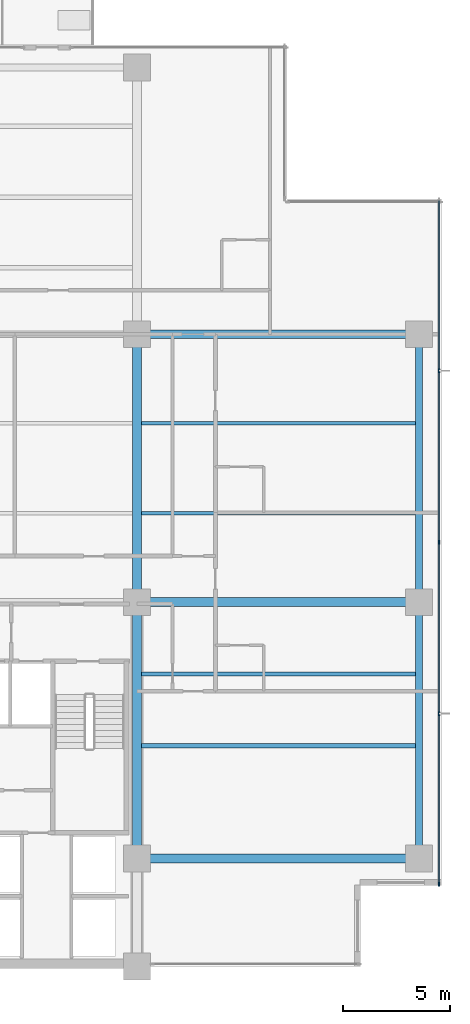
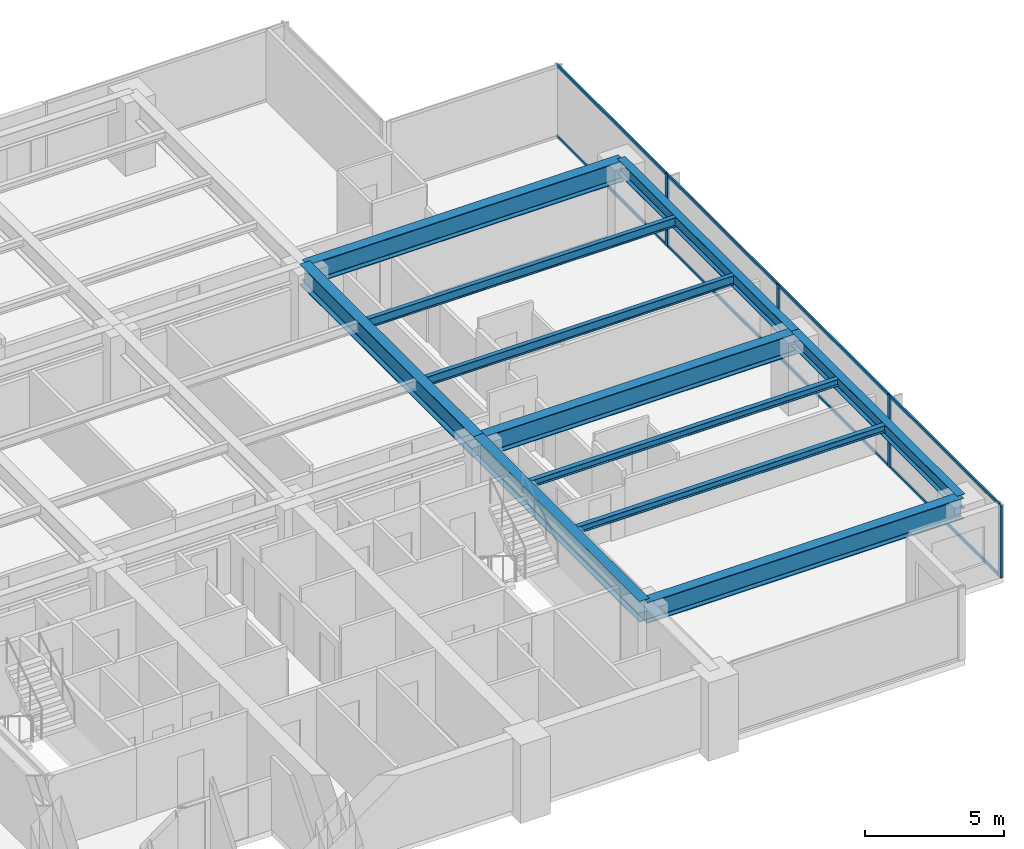
# One storey, part 4 of 16: 12 members, 11 beams, 1 element without a shape of its own.
"""IFC4 building model written with IfcOpenShell, lengths in metres."""

from ifc_helpers import new_model, si_unit, direction, frame, origin, origin_2d, place, context, subcontext, project, spatial, rectangle, i_section, extrude, material, layer, layer_set, material_profile, profile_set, type_object, element, aggregate, save


model = new_model("IFC4")

# Units and contexts
model_context = context("Model", 3, precision=1e-05, world=origin(), true_north=direction((0.0, 1.0)))
body_context = subcontext(model_context, "Body", "Model", "MODEL_VIEW")
ifc_project = project(units=[si_unit("LENGTHUNIT", "METRE"), si_unit("AREAUNIT", "SQUARE_METRE"), si_unit("VOLUMEUNIT", "CUBIC_METRE"), si_unit("PLANEANGLEUNIT", "RADIAN"), si_unit("MASSUNIT", "GRAM", prefix="KILO")], contexts=[model_context])

# Site, building, storey
site_placement = place(None, origin())
site = spatial("IfcSite", under=ifc_project, at=site_placement, CompositionType="ELEMENT")
building_placement = place(site_placement, origin())
building = spatial("IfcBuilding", under=site, at=building_placement, Name="Qalmaran Belvedere Hotel", CompositionType="ELEMENT")
storey_placement = place(building_placement, frame((0.0, 0.0, 126.699951171875)))
storey = spatial("IfcBuildingStorey", under=building, at=storey_placement, Name="L32", CompositionType="ELEMENT", Elevation=126.699951171875)

# Beams
ifc_material_1 = material(Name="Steel S355JR", Category="steel")
ifc_material_profile_1 = material_profile(ifc_material_1, i_section(OverallWidth=0.202880859375, OverallDepth=0.302978515625, WebThickness=0.007568359375, FlangeThickness=0.01318359375, FilletRadius=0.012939453125, at=origin_2d()), Name="W310X60")
ifc_profile_set_1 = profile_set([ifc_material_profile_1], Name="Steel S355JR")
beam_type_1 = type_object("IfcBeamType", Name="BM-JST-W310X60", PredefinedType="JOIST", material=ifc_profile_set_1)
for number, where, z_axis, x_axis, name in (
    (1, (45.007080078125, 13.800048828125, 3.028564453125), (1.0, 0.0, 0.0), (0.0, 1.0, 0.0), "L32 East Wing Joist 039"),
    (2, (45.007080078125, 17.14990234375, 3.028564453125), (1.0, 0.0, 0.0), (0.0, 1.0, 0.0), "L32 East Wing Joist 041"),
):
    element("IfcBeam", number, at=place(storey_placement, frame(where, z_axis=z_axis, x_axis=x_axis)), inside=storey, type_object=beam_type_1, Name=name, PredefinedType="JOIST", context=body_context, shape_type="SweptSolid", body=[
        extrude(i_section(OverallWidth=0.202880859375, OverallDepth=0.302978515625, WebThickness=0.007568359375, FlangeThickness=0.01318359375, FilletRadius=0.012939453125, at=origin_2d()), origin(), (0.0, 0.0, 1.0), 12.781494140625),
    ])
ifc_material_profile_2 = material_profile(ifc_material_1, i_section(OverallWidth=0.41796875, OverallDepth=0.912109375, WebThickness=0.019287109375, FlangeThickness=0.031982421875, FilletRadius=0.02392578125, at=origin_2d()), Name="W920X342")
ifc_profile_set_2 = profile_set([ifc_material_profile_2], Name="Steel S355JR")
beam_type_2 = type_object("IfcBeamType", Name="BM-PG2-W920X342", PredefinedType="USERDEFINED", material=ifc_profile_set_2)
beam_1_placement = place(storey_placement, frame((44.800048828125, 20.5, 2.72412109375), z_axis=(0.0, 1.0, 0.0), x_axis=(-1.0, 0.0, 0.0)))
element("IfcBeam", 3, at=beam_1_placement, inside=storey, type_object=beam_type_2, Name="L32 Mid-Plate N-S Girder 20", ObjectType="GIRDER", PredefinedType="USERDEFINED", context=body_context, shape_type="SweptSolid", body=[
    extrude(i_section(OverallWidth=0.41796875, OverallDepth=0.912109375, WebThickness=0.019287109375, FlangeThickness=0.031982421875, FilletRadius=0.02392578125, at=origin_2d()), origin(), (0.0, 0.0, 1.0), 12.5),
])
beam_2_placement = place(storey_placement, frame((44.800048828125, 8.550048828125, 2.72412109375), z_axis=(0.0, 1.0, 0.0), x_axis=(-1.0, 0.0, 0.0)))
element("IfcBeam", 4, at=beam_2_placement, inside=storey, type_object=beam_type_2, Name="L32 East Core Edge Girder B", ObjectType="GIRDER", PredefinedType="USERDEFINED", context=body_context, shape_type="SweptSolid", body=[
    extrude(i_section(OverallWidth=0.41796875, OverallDepth=0.912109375, WebThickness=0.019287109375, FlangeThickness=0.031982421875, FilletRadius=0.02392578125, at=origin_2d()), origin(), (0.0, 0.0, 1.0), 11.949951171875),
])
for number, where, z_axis, x_axis, name in (
    (5, (44.800048828125, 8.550048828125, 2.72412109375), (1.0, 0.0, 0.0), (0.0, 1.0, 0.0), "L32 East Wing Girder 25"),
    (6, (44.800048828125, 20.5, 2.72412109375), (1.0, 0.0, 0.0), (0.0, 1.0, 0.0), "L32 East Wing Girder 26"),
    (7, (44.800048828125, 33.0, 2.72412109375), (1.0, 0.0, 0.0), (0.0, 1.0, 0.0), "L32 East Wing Girder 27"),
):
    element("IfcBeam", number, at=place(storey_placement, frame(where, z_axis=z_axis, x_axis=x_axis)), inside=storey, type_object=beam_type_2, Name=name, ObjectType="GIRDER", PredefinedType="USERDEFINED", context=body_context, shape_type="SweptSolid", body=[
        extrude(i_section(OverallWidth=0.41796875, OverallDepth=0.912109375, WebThickness=0.019287109375, FlangeThickness=0.031982421875, FilletRadius=0.02392578125, at=origin_2d()), origin(), (0.0, 0.0, 1.0), 13.14990234375),
    ])
ifc_material_profile_3 = material_profile(ifc_material_1, i_section(OverallWidth=0.177978515625, OverallDepth=0.406982421875, WebThickness=0.0078125, FlangeThickness=0.0126953125, FilletRadius=0.014892578125, at=origin_2d()), Name="W410X60")
ifc_profile_set_3 = profile_set([ifc_material_profile_3], Name="Steel S355JR")
beam_type_3 = type_object("IfcBeamType", Name="BM-SB2-W410X60", PredefinedType="BEAM", material=ifc_profile_set_3)
for number, where, z_axis, x_axis, name in (
    (8, (45.007080078125, 24.64990234375, 2.9765625), (1.0, 0.0, 0.0), (0.0, 1.0, 0.0), "L32 East Secondary Beam 032"),
    (9, (45.007080078125, 28.85009765625, 2.9765625), (1.0, 0.0, 0.0), (0.0, 1.0, 0.0), "L32 East Secondary Beam 037"),
):
    element("IfcBeam", number, at=place(storey_placement, frame(where, z_axis=z_axis, x_axis=x_axis)), inside=storey, type_object=beam_type_3, Name=name, PredefinedType="BEAM", context=body_context, shape_type="SweptSolid", body=[
        extrude(i_section(OverallWidth=0.177978515625, OverallDepth=0.406982421875, WebThickness=0.0078125, FlangeThickness=0.0126953125, FilletRadius=0.014892578125, at=origin_2d()), origin(), (0.0, 0.0, 1.0), 12.781494140625),
    ])
ifc_material_profile_4 = material_profile(ifc_material_1, i_section(OverallWidth=0.326904296875, OverallDepth=0.6220703125, WebThickness=0.015380859375, FlangeThickness=0.0244140625, FilletRadius=0.02001953125, at=origin_2d()), Name="W610X195")
ifc_profile_set_4 = profile_set([ifc_material_profile_4], Name="Steel S355JR")
beam_type_4 = type_object("IfcBeamType", Name="BM-SP1-W610X195", PredefinedType="SPANDREL", material=ifc_profile_set_4)
beam_3_placement = place(storey_placement, frame((57.949951171875, 8.550048828125, 2.869140625), z_axis=(0.0, 1.0, 0.0), x_axis=(-1.0, 0.0, 0.0)))
element("IfcBeam", 10, at=beam_3_placement, inside=storey, type_object=beam_type_4, Name="L32 Perimeter Spandrel 03", PredefinedType="SPANDREL", context=body_context, shape_type="SweptSolid", body=[
    extrude(i_section(OverallWidth=0.326904296875, OverallDepth=0.6220703125, WebThickness=0.015380859375, FlangeThickness=0.0244140625, FilletRadius=0.02001953125, at=origin_2d()), origin(), (0.0, 0.0, 1.0), 11.949951171875),
])
beam_4_placement = place(storey_placement, frame((57.949951171875, 20.5, 2.869140625), z_axis=(0.0, 1.0, 0.0), x_axis=(-1.0, 0.0, 0.0)))
element("IfcBeam", 11, at=beam_4_placement, inside=storey, type_object=beam_type_4, Name="L32 Perimeter Spandrel 04", PredefinedType="SPANDREL", context=body_context, shape_type="SweptSolid", body=[
    extrude(i_section(OverallWidth=0.326904296875, OverallDepth=0.6220703125, WebThickness=0.015380859375, FlangeThickness=0.0244140625, FilletRadius=0.02001953125, at=origin_2d()), origin(), (0.0, 0.0, 1.0), 12.5),
])

# Curtain wall, members
ifc_material_2 = material(Name="Anodised Bronze Aluminium", Category="aluminium")
ifc_layer = layer(ifc_material_2, 0.199951171875, Name="Anodised Bronze Aluminium")
ifc_layer_set = layer_set([ifc_layer], Name="Anodised Bronze Aluminium")
curtain_wall_type = type_object("IfcCurtainWallType", Name="CW3-TOWER-LOWMID", PredefinedType="NOTDEFINED", material=ifc_layer_set)
curtain_wall_placement = place(storey_placement, origin())
curtain_wall = element("IfcCurtainWall", 12, at=curtain_wall_placement, inside=storey, type_object=curtain_wall_type, Name="L32 Curtain Wall CW3", PredefinedType="NOTDEFINED")
ifc_material_profile_5 = material_profile(ifc_material_2, rectangle(XDim=0.070068359375, YDim=0.18994140625, at=origin_2d()), Name="CWM70X190")
ifc_profile_set_5 = profile_set([ifc_material_profile_5], Name="Anodised Bronze Aluminium")
member_type_1 = type_object("IfcMemberType", Name="CWM-70X190", PredefinedType="MULLION", material=ifc_profile_set_5)
member_1_placement = place(storey_placement, frame((58.8798828125, 7.3349609375, 0.0), z_axis=(0.0, 0.0, 1.0), x_axis=(-1.0, 0.0, 0.0)))
member_1 = element("IfcMember", 13, at=member_1_placement, type_object=member_type_1, Name="CW3 mullion 1", PredefinedType="MULLION", context=body_context, shape_type="SweptSolid", body=[
    extrude(rectangle(XDim=0.070068359375, YDim=0.18994140625, at=origin_2d()), origin(), (0.0, 0.0, 1.0), 3.179931640625),
])
member_2_placement = place(storey_placement, frame((58.8798828125, 15.300048828125, 0.0), z_axis=(0.0, 0.0, 1.0), x_axis=(-1.0, 0.0, 0.0)))
member_2 = element("IfcMember", 14, at=member_2_placement, type_object=member_type_1, Name="CW3 mullion 2", PredefinedType="MULLION", context=body_context, shape_type="SweptSolid", body=[
    extrude(rectangle(XDim=0.070068359375, YDim=0.18994140625, at=origin_2d()), origin(), (0.0, 0.0, 1.0), 3.179931640625),
])
member_3_placement = place(storey_placement, frame((58.8798828125, 23.300048828125, 0.0), z_axis=(0.0, 0.0, 1.0), x_axis=(-1.0, 0.0, 0.0)))
member_3 = element("IfcMember", 15, at=member_3_placement, type_object=member_type_1, Name="CW3 mullion 3", PredefinedType="MULLION", context=body_context, shape_type="SweptSolid", body=[
    extrude(rectangle(XDim=0.070068359375, YDim=0.18994140625, at=origin_2d()), origin(), (0.0, 0.0, 1.0), 3.179931640625),
])
member_4_placement = place(storey_placement, frame((58.8798828125, 31.300048828125, 0.0), z_axis=(0.0, 0.0, 1.0), x_axis=(-1.0, 0.0, 0.0)))
member_4 = element("IfcMember", 16, at=member_4_placement, type_object=member_type_1, Name="CW3 mullion 4", PredefinedType="MULLION", context=body_context, shape_type="SweptSolid", body=[
    extrude(rectangle(XDim=0.070068359375, YDim=0.18994140625, at=origin_2d()), origin(), (0.0, 0.0, 1.0), 3.179931640625),
])
ifc_material_profile_6 = material_profile(ifc_material_2, rectangle(XDim=0.06494140625, YDim=0.1298828125, at=origin_2d()), Name="CWT65X130")
ifc_profile_set_6 = profile_set([ifc_material_profile_6], Name="Anodised Bronze Aluminium")
member_type_2 = type_object("IfcMemberType", Name="CWT-65X130", PredefinedType="USERDEFINED", material=ifc_profile_set_6)
member_5_placement = place(storey_placement, frame((58.8798828125, 7.3701171875, 0.032470703125), z_axis=(0.0, 1.0, 0.0), x_axis=(-1.0, 0.0, 0.0)))
member_5 = element("IfcMember", 17, at=member_5_placement, type_object=member_type_2, Name="CW3 transom 1.1", ObjectType="TRANSOM", PredefinedType="USERDEFINED", context=body_context, shape_type="SweptSolid", body=[
    extrude(rectangle(XDim=0.06494140625, YDim=0.1298828125, at=origin_2d()), origin(), (0.0, 0.0, 1.0), 7.894775390625),
])
member_6_placement = place(storey_placement, frame((58.8798828125, 7.3701171875, 3.1474609375), z_axis=(0.0, 1.0, 0.0), x_axis=(-1.0, 0.0, 0.0)))
member_6 = element("IfcMember", 18, at=member_6_placement, type_object=member_type_2, Name="CW3 transom 1.2", ObjectType="TRANSOM", PredefinedType="USERDEFINED", context=body_context, shape_type="SweptSolid", body=[
    extrude(rectangle(XDim=0.06494140625, YDim=0.1298828125, at=origin_2d()), origin(), (0.0, 0.0, 1.0), 7.894775390625),
])
member_7_placement = place(storey_placement, frame((58.8798828125, 15.3349609375, 0.032470703125), z_axis=(0.0, 1.0, 0.0), x_axis=(-1.0, 0.0, 0.0)))
member_7 = element("IfcMember", 19, at=member_7_placement, type_object=member_type_2, Name="CW3 transom 2.1", ObjectType="TRANSOM", PredefinedType="USERDEFINED", context=body_context, shape_type="SweptSolid", body=[
    extrude(rectangle(XDim=0.06494140625, YDim=0.1298828125, at=origin_2d()), origin(), (0.0, 0.0, 1.0), 7.929931640625),
])
member_8_placement = place(storey_placement, frame((58.8798828125, 15.3349609375, 3.1474609375), z_axis=(0.0, 1.0, 0.0), x_axis=(-1.0, 0.0, 0.0)))
member_8 = element("IfcMember", 20, at=member_8_placement, type_object=member_type_2, Name="CW3 transom 2.2", ObjectType="TRANSOM", PredefinedType="USERDEFINED", context=body_context, shape_type="SweptSolid", body=[
    extrude(rectangle(XDim=0.06494140625, YDim=0.1298828125, at=origin_2d()), origin(), (0.0, 0.0, 1.0), 7.929931640625),
])
member_9_placement = place(storey_placement, frame((58.8798828125, 23.3349609375, 0.032470703125), z_axis=(0.0, 1.0, 0.0), x_axis=(-1.0, 0.0, 0.0)))
member_9 = element("IfcMember", 21, at=member_9_placement, type_object=member_type_2, Name="CW3 transom 3.1", ObjectType="TRANSOM", PredefinedType="USERDEFINED", context=body_context, shape_type="SweptSolid", body=[
    extrude(rectangle(XDim=0.06494140625, YDim=0.1298828125, at=origin_2d()), origin(), (0.0, 0.0, 1.0), 7.929931640625),
])
member_10_placement = place(storey_placement, frame((58.8798828125, 23.3349609375, 3.1474609375), z_axis=(0.0, 1.0, 0.0), x_axis=(-1.0, 0.0, 0.0)))
member_10 = element("IfcMember", 22, at=member_10_placement, type_object=member_type_2, Name="CW3 transom 3.2", ObjectType="TRANSOM", PredefinedType="USERDEFINED", context=body_context, shape_type="SweptSolid", body=[
    extrude(rectangle(XDim=0.06494140625, YDim=0.1298828125, at=origin_2d()), origin(), (0.0, 0.0, 1.0), 7.929931640625),
])
member_11_placement = place(storey_placement, frame((58.8798828125, 31.3349609375, 0.032470703125), z_axis=(0.0, 1.0, 0.0), x_axis=(-1.0, 0.0, 0.0)))
member_11 = element("IfcMember", 23, at=member_11_placement, type_object=member_type_2, Name="CW3 transom 4.1", ObjectType="TRANSOM", PredefinedType="USERDEFINED", context=body_context, shape_type="SweptSolid", body=[
    extrude(rectangle(XDim=0.06494140625, YDim=0.1298828125, at=origin_2d()), origin(), (0.0, 0.0, 1.0), 7.89501953125),
])
member_12_placement = place(storey_placement, frame((58.8798828125, 31.3349609375, 3.1474609375), z_axis=(0.0, 1.0, 0.0), x_axis=(-1.0, 0.0, 0.0)))
member_12 = element("IfcMember", 24, at=member_12_placement, type_object=member_type_2, Name="CW3 transom 4.2", ObjectType="TRANSOM", PredefinedType="USERDEFINED", context=body_context, shape_type="SweptSolid", body=[
    extrude(rectangle(XDim=0.06494140625, YDim=0.1298828125, at=origin_2d()), origin(), (0.0, 0.0, 1.0), 7.89501953125),
])
aggregate(curtain_wall, [member_1, member_2, member_3, member_4, member_5, member_6, member_7, member_8, member_9, member_10, member_11, member_12])

save(model, "model.ifc")
